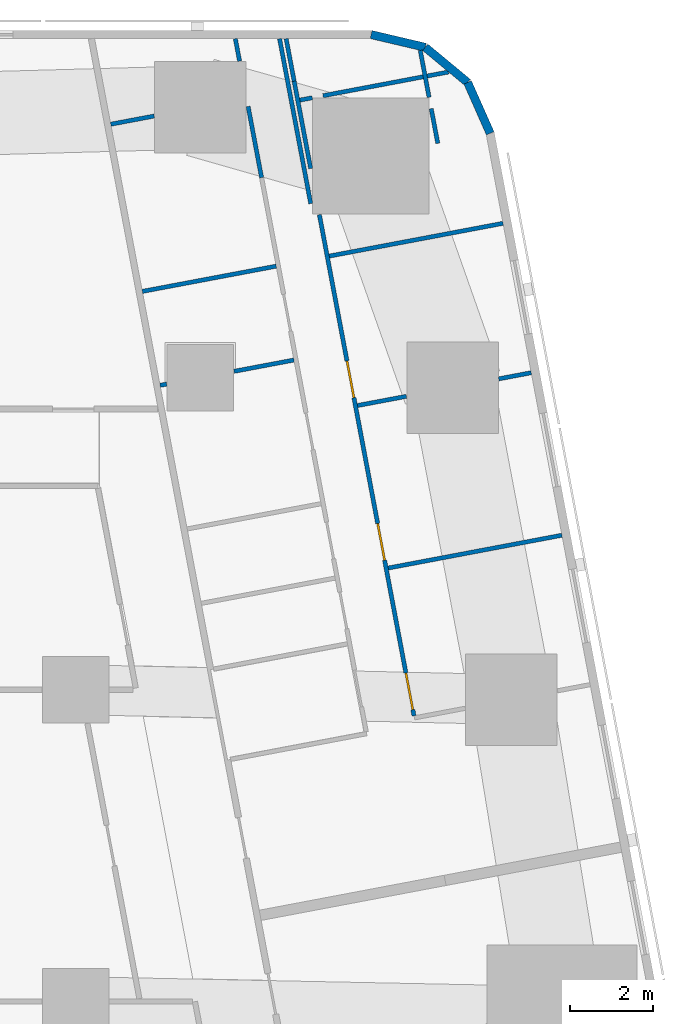
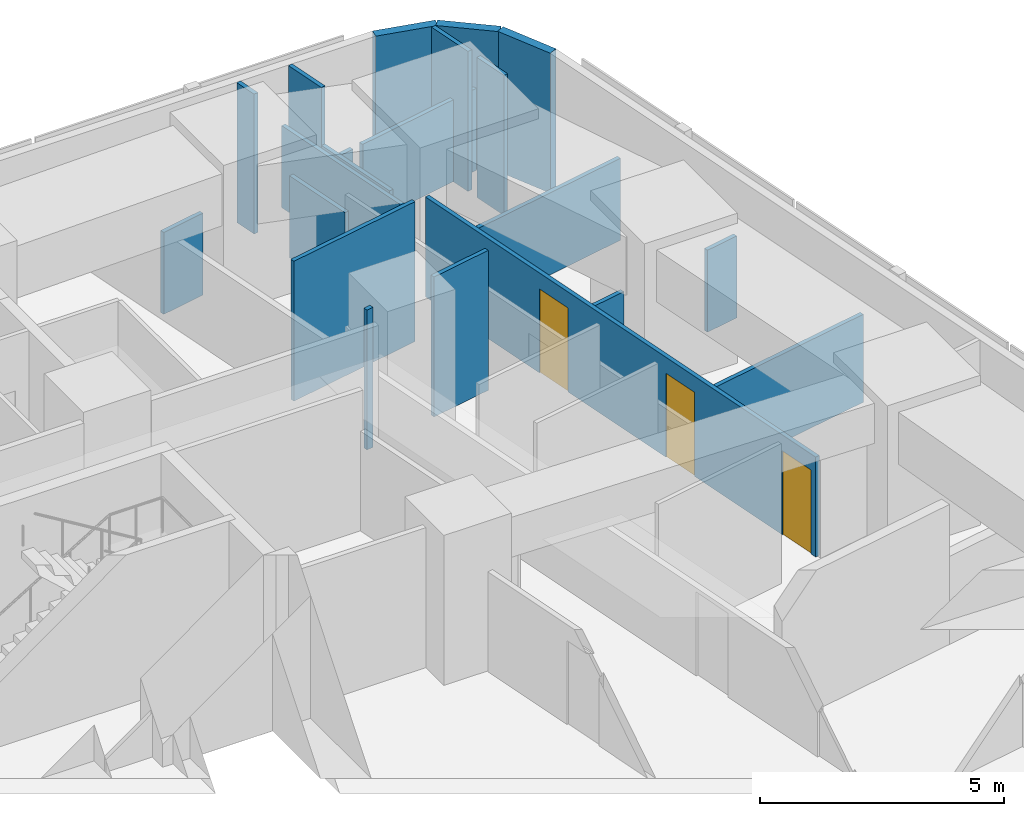
# One storey, part 10 of 15: 21 walls, 3 doors, 3 openings.
"""IFC4 building model written with IfcOpenShell, lengths in metres."""

from ifc_helpers import new_model, si_unit, direction, frame, frame_2d, origin, place, context, subcontext, project, spatial, rectangle, extrude, material, layer, layer_set, type_object, element, fill, save


model = new_model("IFC4")

# Units and contexts
model_context = context("Model", 3, precision=1e-05, world=origin(), true_north=direction((0.0, 1.0)))
body_context = subcontext(model_context, "Body", "Model", "MODEL_VIEW")
ifc_project = project(units=[si_unit("LENGTHUNIT", "METRE"), si_unit("AREAUNIT", "SQUARE_METRE"), si_unit("VOLUMEUNIT", "CUBIC_METRE"), si_unit("PLANEANGLEUNIT", "RADIAN"), si_unit("MASSUNIT", "GRAM", prefix="KILO")], contexts=[model_context])

# Site, building, storey
site_placement = place(None, origin())
site = spatial("IfcSite", under=ifc_project, at=site_placement, CompositionType="ELEMENT")
building_placement = place(site_placement, origin())
building = spatial("IfcBuilding", under=site, at=building_placement, Name="Sheger Commons Tower", CompositionType="ELEMENT")
storey_placement = place(building_placement, frame((0.0, 0.0, 81.64990234375)))
storey = spatial("IfcBuildingStorey", under=building, at=storey_placement, Name="L20", CompositionType="ELEMENT", Elevation=81.64990234375)

# Walls
ifc_material_1 = material(Name="Rendered concrete block masonry, dark grey", Category="masonry")
ifc_layer_1 = layer(ifc_material_1, 0.199951171875)
ifc_layer_set_1 = layer_set([ifc_layer_1], Name="FACADE WALL 200")
wall_type_1 = type_object("IfcWallType", Name="FACADE WALL 200", PredefinedType="SOLIDWALL", material=ifc_layer_set_1)
wall_1_placement = place(storey_placement, frame((42.969970703125, 43.376953125, 0.0), z_axis=(0.0, 0.0, 1.0), x_axis=(-0.406002956633, 0.913871762998, 0.0)))
element("IfcWall", 1, at=wall_1_placement, inside=storey, type_object=wall_type_1, Name="Facade wall L20", PredefinedType="SOLIDWALL", context=body_context, shape_type="SweptSolid", body=[
    extrude(rectangle(XDim=1.33740234375, YDim=0.199951171875, at=frame_2d((0.668701171875, 0.0))), origin(), (0.0, 0.0, 1.0), 3.5),
])
wall_2_placement = place(storey_placement, frame((42.427001953125, 44.59912109375, 0.0), z_axis=(0.0, 0.0, 1.0), x_axis=(-0.770091412544, 0.637933551655, 0.0)))
element("IfcWall", 2, at=wall_2_placement, inside=storey, type_object=wall_type_1, Name="Facade wall L20", PredefinedType="SOLIDWALL", context=body_context, shape_type="SweptSolid", body=[
    extrude(rectangle(XDim=1.324462890625, YDim=0.199951171875, at=frame_2d((0.662109375, 0.0))), origin(), (0.0, 0.0, 1.0), 3.5),
])
wall_3_placement = place(storey_placement, frame((41.406982421875, 45.444091796875, 0.0), z_axis=(0.0, 0.0, 1.0), x_axis=(-0.973453091607, 0.228886606077, 0.0)))
element("IfcWall", 3, at=wall_3_placement, inside=storey, type_object=wall_type_1, Name="Facade wall L20", PredefinedType="SOLIDWALL", context=body_context, shape_type="SweptSolid", body=[
    extrude(rectangle(XDim=1.33642578125, YDim=0.199951171875, at=frame_2d((0.668212890625, 0.0))), origin(), (0.0, 0.0, 1.0), 3.5),
])
ifc_material_2 = material(Name="Gypsum board on steel studs", Category="steel")
ifc_layer_2 = layer(ifc_material_2, 0.10009765625)
ifc_layer_set_2 = layer_set([ifc_layer_2], Name="PARTITION 100")
wall_type_2 = type_object("IfcWallType", Name="PARTITION 100", PredefinedType="PARTITIONING", material=ifc_layer_set_2)
wall_4_placement = place(storey_placement, frame((38.654052734375, 41.68603515625, 0.0), z_axis=(0.0, 0.0, 1.0), x_axis=(-0.185676896978, 0.982610853761, 0.0)))
element("IfcWall", 4, at=wall_4_placement, inside=storey, type_object=wall_type_2, Name="Partition L20", PredefinedType="PARTITIONING", context=body_context, shape_type="SweptSolid", body=[
    extrude(rectangle(XDim=4.033935546875, YDim=0.10009765625, at=frame_2d((2.01708984375, 0.0))), origin(), (0.0, 0.0, 1.0), 2.050048828125),
])
wall_5_placement = place(storey_placement, frame((41.287109375, 45.3701171875, 0.0), z_axis=(0.0, 0.0, 1.0), x_axis=(0.185121628323, -0.982715616405, 0.0)))
element("IfcWall", 5, at=wall_5_placement, inside=storey, type_object=wall_type_2, Name="Partition L20", PredefinedType="PARTITIONING", context=body_context, shape_type="SweptSolid", body=[
    extrude(rectangle(XDim=1.14990234375, YDim=0.10009765625, at=frame_2d((0.574951171875, 0.0))), origin(), (0.0, 0.0, 1.0), 3.5),
])
wall_6_placement = place(storey_placement, frame((41.551025390625, 43.968994140625, 0.0), z_axis=(0.0, 0.0, 1.0), x_axis=(0.185884171512, -0.982571663942, 0.0)))
element("IfcWall", 6, at=wall_6_placement, inside=storey, type_object=wall_type_2, Name="Partition L20", PredefinedType="PARTITIONING", context=body_context, shape_type="SweptSolid", body=[
    extrude(rectangle(XDim=0.849853515625, YDim=0.10009765625, at=frame_2d((0.4248046875, 0.0))), origin(), (0.0, 0.0, 1.0), 3.5),
])
wall_7_placement = place(storey_placement, frame((38.06298828125, 45.64990234375, 0.0), z_axis=(0.0, 0.0, 1.0), x_axis=(0.185677287841, -0.982610779902, 0.0)))
element("IfcWall", 7, at=wall_7_placement, inside=storey, type_object=wall_type_2, Name="Partition L20", PredefinedType="PARTITIONING", context=body_context, shape_type="SweptSolid", body=[
    extrude(rectangle(XDim=1.0400390625, YDim=0.10009765625, at=frame_2d((0.52001953125, 0.0))), origin(), (0.0, 0.0, 1.0), 3.5),
])
wall_8_placement = place(storey_placement, frame((38.256103515625, 44.6279296875, 0.0), z_axis=(0.0, 0.0, 1.0), x_axis=(0.185757524649, -0.982595614704, 0.0)))
element("IfcWall", 8, at=wall_8_placement, inside=storey, type_object=wall_type_2, Name="Partition L20", PredefinedType="PARTITIONING", context=body_context, shape_type="SweptSolid", body=[
    extrude(rectangle(XDim=2.136962890625, YDim=0.10009765625, at=frame_2d((1.068359375, 0.0))), origin(), (0.0, 0.0, 1.0), 2.050048828125),
])

# Wall, openings, doors
wall_9_placement = place(storey_placement, frame((38.862060546875, 41.419921875, 0.0), z_axis=(0.0, 0.0, 1.0), x_axis=(0.185529020159, -0.982638785454, 0.0)))
wall_9 = element("IfcWall", 9, at=wall_9_placement, inside=storey, type_object=wall_type_2, Name="Partition L20", PredefinedType="PARTITIONING", context=body_context, shape_type="SweptSolid", body=[
    extrude(rectangle(XDim=12.26171875, YDim=0.10009765625, at=frame_2d((6.130859375, 0.0))), origin(), (0.0, 0.0, 1.0), 2.5),
])
opening_1_placement = place(wall_9_placement, frame((11.2119140625, 0.0, 0.0)))
opening_1 = element("IfcOpeningElement", 10, at=opening_1_placement, cuts=wall_9, Name="Opening D2", PredefinedType="OPENING", context=body_context, shape_type="SweptSolid", body=[
    extrude(rectangle(XDim=0.89990234375, YDim=2.10009765625, at=frame_2d((0.449951171875, 1.050048828125))), frame((0.0, 0.06005859375, 0.0), z_axis=(0.0, -1.0, 0.0), x_axis=(1.0, 0.0, 0.0)), (0.0, 0.0, 1.0), 0.1201171875),
])
opening_2_placement = place(wall_9_placement, frame((7.554931640625, 0.0, 0.0)))
opening_2 = element("IfcOpeningElement", 11, at=opening_2_placement, cuts=wall_9, Name="Opening D2", PredefinedType="OPENING", context=body_context, shape_type="SweptSolid", body=[
    extrude(rectangle(XDim=0.89990234375, YDim=2.10009765625, at=frame_2d((0.449951171875, 1.050048828125))), frame((0.0, 0.06005859375, 0.0), z_axis=(0.0, -1.0, 0.0), x_axis=(1.0, 0.0, 0.0)), (0.0, 0.0, 1.0), 0.1201171875),
])
opening_3_placement = place(wall_9_placement, frame((3.5791015625, 0.0, 0.0)))
opening_3 = element("IfcOpeningElement", 12, at=opening_3_placement, cuts=wall_9, Name="Opening D2", PredefinedType="OPENING", context=body_context, shape_type="SweptSolid", body=[
    extrude(rectangle(XDim=0.89990234375, YDim=2.10009765625, at=frame_2d((0.449951171875, 1.050048828125))), frame((0.0, 0.06005859375, 0.0), z_axis=(0.0, -1.0, 0.0), x_axis=(1.0, 0.0, 0.0)), (0.0, 0.0, 1.0), 0.1201171875),
])
ifc_material_3 = material(Name="Timber door set", Category="wood")
door_type = type_object("IfcDoorType", Name="INTERNAL DOOR 900x2100", OperationType="NOTDEFINED", PredefinedType="DOOR", material=ifc_material_3)
door_1_placement = place(opening_1_placement, origin())
door_1 = element("IfcDoor", 13, at=door_1_placement, inside=storey, type_object=door_type, Name="Main bedroom door", OperationType="SINGLE_SWING_RIGHT", OverallHeight=2.10009765625, OverallWidth=0.89990234375, PredefinedType="DOOR", context=body_context, shape_type="SweptSolid", body=[
    extrude(rectangle(XDim=0.89990234375, YDim=2.10009765625, at=frame_2d((0.449951171875, 1.050048828125))), frame((0.0, 0.02490234375, 0.0), z_axis=(0.0, -1.0, 0.0), x_axis=(1.0, 0.0, 0.0)), (0.0, 0.0, 1.0), 0.050048828125),
])
fill(opening_1, door_1)
door_2_placement = place(opening_2_placement, origin())
door_2 = element("IfcDoor", 14, at=door_2_placement, inside=storey, type_object=door_type, Name="Bedroom 2 door", OperationType="SINGLE_SWING_RIGHT", OverallHeight=2.10009765625, OverallWidth=0.89990234375, PredefinedType="DOOR", context=body_context, shape_type="SweptSolid", body=[
    extrude(rectangle(XDim=0.89990234375, YDim=2.10009765625, at=frame_2d((0.449951171875, 1.050048828125))), frame((0.0, 0.02490234375, 0.0), z_axis=(0.0, -1.0, 0.0), x_axis=(1.0, 0.0, 0.0)), (0.0, 0.0, 1.0), 0.050048828125),
])
fill(opening_2, door_2)
door_3_placement = place(opening_3_placement, origin())
door_3 = element("IfcDoor", 15, at=door_3_placement, inside=storey, type_object=door_type, Name="Bedroom 3 door", OperationType="SINGLE_SWING_RIGHT", OverallHeight=2.10009765625, OverallWidth=0.89990234375, PredefinedType="DOOR", context=body_context, shape_type="SweptSolid", body=[
    extrude(rectangle(XDim=0.89990234375, YDim=2.10009765625, at=frame_2d((0.449951171875, 1.050048828125))), frame((0.0, 0.02490234375, 0.0), z_axis=(0.0, -1.0, 0.0), x_axis=(1.0, 0.0, 0.0)), (0.0, 0.0, 1.0), 0.050048828125),
])
fill(opening_3, door_3)

# Walls
wall_10_placement = place(storey_placement, frame((36.842041015625, 45.64990234375, 0.0), z_axis=(0.0, 0.0, 1.0), x_axis=(0.185764109712, -0.98259436979, 0.0)))
element("IfcWall", 16, at=wall_10_placement, inside=storey, type_object=wall_type_2, Name="Partition L20", PredefinedType="PARTITIONING", context=body_context, shape_type="SweptSolid", body=[
    extrude(rectangle(XDim=0.54931640625, YDim=0.10009765625, at=frame_2d((0.274658203125, 0.0))), origin(), (0.0, 0.0, 1.0), 3.5),
])
wall_11_placement = place(storey_placement, frame((37.14892578125, 44.02197265625, 0.0), z_axis=(0.0, 0.0, 1.0), x_axis=(0.185844162065, -0.982579232137, 0.0)))
element("IfcWall", 17, at=wall_11_placement, inside=storey, type_object=wall_type_2, Name="Partition L20", PredefinedType="PARTITIONING", context=body_context, shape_type="SweptSolid", body=[
    extrude(rectangle(XDim=1.7431640625, YDim=0.10009765625, at=frame_2d((0.87158203125, 0.0))), origin(), (0.0, 0.0, 1.0), 2.050048828125),
])
wall_12_placement = place(storey_placement, frame((41.968017578125, 44.85009765625, 0.0), z_axis=(0.0, 0.0, 1.0), x_axis=(-0.982566714195, -0.185910333644, 0.0)))
element("IfcWall", 18, at=wall_12_placement, inside=storey, type_object=wall_type_2, Name="Partition L20", PredefinedType="PARTITIONING", context=body_context, shape_type="SweptSolid", body=[
    extrude(rectangle(XDim=3.071533203125, YDim=0.10009765625, at=frame_2d((1.53564453125, 0.0))), origin(), (0.0, 0.0, 1.0), 2.050048828125),
])
wall_13_placement = place(storey_placement, frame((38.69189453125, 44.22998046875, 0.0), z_axis=(0.0, 0.0, 1.0), x_axis=(-0.982944840311, -0.183900627803, 0.0)))
element("IfcWall", 19, at=wall_13_placement, inside=storey, type_object=wall_type_2, Name="Partition L20", PredefinedType="PARTITIONING", context=body_context, shape_type="SweptSolid", body=[
    extrude(rectangle(XDim=0.303955078125, YDim=0.10009765625, at=frame_2d((0.15185546875, 0.0))), origin(), (0.0, 0.0, 1.0), 2.050048828125),
])
wall_14_placement = place(storey_placement, frame((43.277099609375, 41.2119140625, 0.0), z_axis=(0.0, 0.0, 1.0), x_axis=(-0.982665405803, -0.185387972203, 0.0)))
element("IfcWall", 20, at=wall_14_placement, inside=storey, type_object=wall_type_2, Name="Partition L20", PredefinedType="PARTITIONING", context=body_context, shape_type="SweptSolid", body=[
    extrude(rectangle(XDim=4.249755859375, YDim=0.10009765625, at=frame_2d((2.125, 0.0))), origin(), (0.0, 0.0, 1.0), 2.050048828125),
])
wall_15_placement = place(storey_placement, frame((43.955078125, 37.6201171875, 0.0), z_axis=(0.0, 0.0, 1.0), x_axis=(-0.98247004097, -0.186420542316, 0.0)))
element("IfcWall", 21, at=wall_15_placement, inside=storey, type_object=wall_type_2, Name="Partition L20", PredefinedType="PARTITIONING", context=body_context, shape_type="SweptSolid", body=[
    extrude(rectangle(XDim=0.794921875, YDim=0.10009765625, at=frame_2d((0.3974609375, 0.0))), origin(), (0.0, 0.0, 1.0), 2.050048828125),
])
wall_16_placement = place(storey_placement, frame((40.9541015625, 37.052978515625, 0.0), z_axis=(0.0, 0.0, 1.0), x_axis=(-0.982628652346, -0.185582681276, 0.0)))
element("IfcWall", 22, at=wall_16_placement, inside=storey, type_object=wall_type_2, Name="Partition L20", PredefinedType="PARTITIONING", context=body_context, shape_type="SweptSolid", body=[
    extrude(rectangle(XDim=1.19580078125, YDim=0.10009765625, at=frame_2d((0.597900390625, 0.0))), origin(), (0.0, 0.0, 1.0), 2.050048828125),
])
wall_17_placement = place(storey_placement, frame((44.693115234375, 33.712890625, 0.0), z_axis=(0.0, 0.0, 1.0), x_axis=(-0.982623519589, -0.185609856287, 0.0)))
element("IfcWall", 23, at=wall_17_placement, inside=storey, type_object=wall_type_2, Name="Partition L20", PredefinedType="PARTITIONING", context=body_context, shape_type="SweptSolid", body=[
    extrude(rectangle(XDim=4.249755859375, YDim=0.10009765625, at=frame_2d((2.125, 0.0))), origin(), (0.0, 0.0, 1.0), 2.2001953125),
])
wall_18_placement = place(storey_placement, frame((34.889892578125, 43.791015625, 0.0), z_axis=(0.0, 0.0, 1.0), x_axis=(-0.982621304855, -0.185621580763, 0.0)))
element("IfcWall", 24, at=wall_18_placement, inside=storey, type_object=wall_type_2, Name="Partition L20", PredefinedType="PARTITIONING", context=body_context, shape_type="SweptSolid", body=[
    extrude(rectangle(XDim=1.0615234375, YDim=0.10009765625, at=frame_2d((0.53076171875, 0.0))), origin(), (0.0, 0.0, 1.0), 2.050048828125),
])
wall_19_placement = place(storey_placement, frame((37.823974609375, 40.181884765625, 0.0), z_axis=(0.0, 0.0, 1.0), x_axis=(-0.982674977865, -0.185337227447, 0.0)))
element("IfcWall", 25, at=wall_19_placement, inside=storey, type_object=wall_type_2, Name="Partition L20", PredefinedType="PARTITIONING", context=body_context, shape_type="SweptSolid", body=[
    extrude(rectangle(XDim=3.274658203125, YDim=0.10009765625, at=frame_2d((1.63720703125, 0.0))), origin(), (0.0, 0.0, 1.0), 3.5),
])
wall_20_placement = place(storey_placement, frame((38.25, 37.925048828125, 0.0), z_axis=(0.0, 0.0, 1.0), x_axis=(-0.982626127294, -0.185596050493, 0.0)))
element("IfcWall", 26, at=wall_20_placement, inside=storey, type_object=wall_type_2, Name="Partition L20", PredefinedType="PARTITIONING", context=body_context, shape_type="SweptSolid", body=[
    extrude(rectangle(XDim=1.46533203125, YDim=0.10009765625, at=frame_2d((0.732666015625, 0.0))), origin(), (0.0, 0.0, 1.0), 3.5),
])
wall_21_placement = place(storey_placement, frame((35.18994140625, 37.346923828125, 0.0), z_axis=(0.0, 0.0, 1.0), x_axis=(-0.982404955251, -0.186763229514, 0.0)))
element("IfcWall", 27, at=wall_21_placement, inside=storey, type_object=wall_type_2, Name="Partition L20", PredefinedType="PARTITIONING", context=body_context, shape_type="SweptSolid", body=[
    extrude(rectangle(XDim=0.160888671875, YDim=0.10009765625, at=frame_2d((0.08056640625, 0.0))), origin(), (0.0, 0.0, 1.0), 3.5),
])

save(model, "model.ifc")
